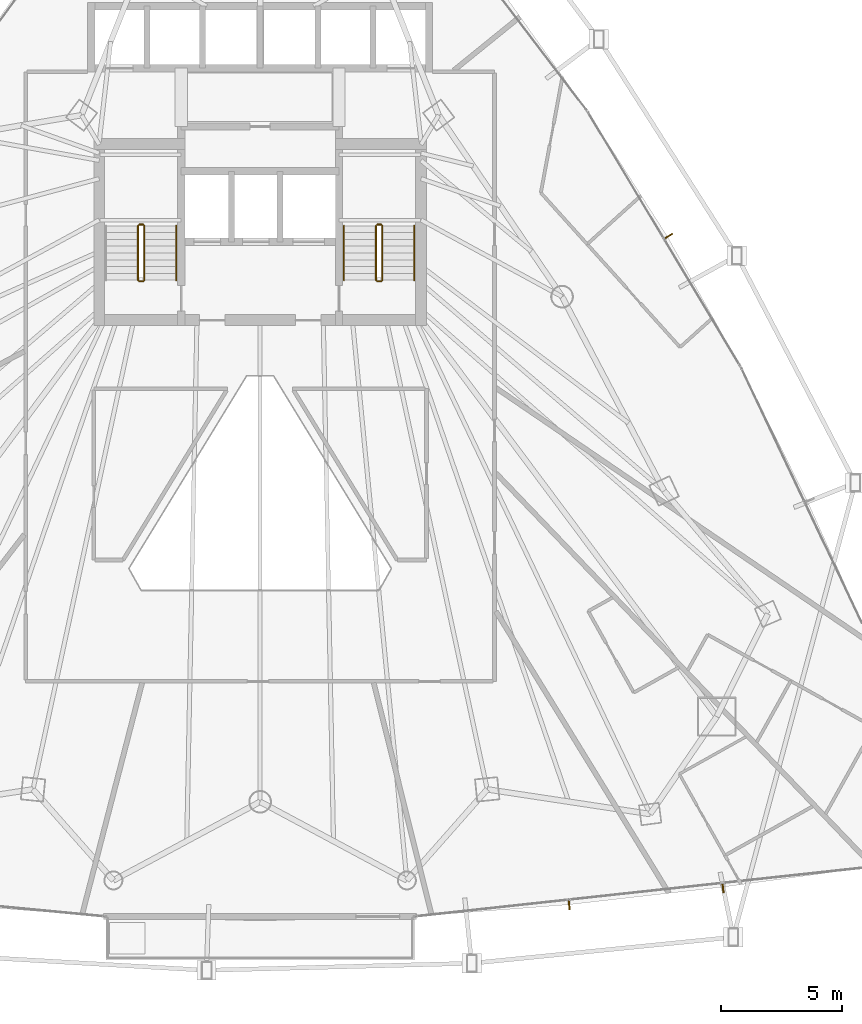
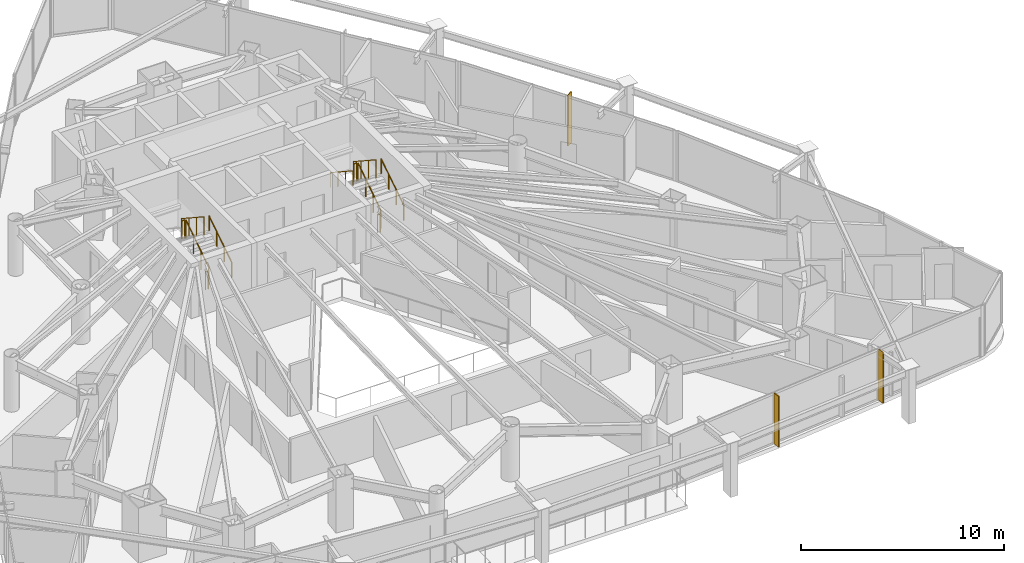
# One storey, part 33 of 34: 11 railings, 3 shading devices.
"""IFC4 building model written with IfcOpenShell, lengths in metres."""

from ifc_helpers import new_model, si_unit, direction, frame, origin, origin_2d, place, context, subcontext, project, spatial, rectangle, circle, extrude, material, layer, layer_set, type_object, element, save


model = new_model("IFC4")

# Units and contexts
model_context = context("Model", 3, precision=1e-05, world=origin(), true_north=direction((0.0, 1.0)))
body_context = subcontext(model_context, "Body", "Model", "MODEL_VIEW")
ifc_project = project(units=[si_unit("LENGTHUNIT", "METRE"), si_unit("AREAUNIT", "SQUARE_METRE"), si_unit("VOLUMEUNIT", "CUBIC_METRE"), si_unit("PLANEANGLEUNIT", "RADIAN"), si_unit("MASSUNIT", "GRAM", prefix="KILO")], contexts=[model_context])

# Site, building, storey
site_placement = place(None, origin())
site = spatial("IfcSite", under=ifc_project, at=site_placement, CompositionType="ELEMENT")
building_placement = place(site_placement, origin())
building = spatial("IfcBuilding", under=site, at=building_placement, Name="Orvanel Arch Residences", CompositionType="ELEMENT")
storey_placement = place(building_placement, frame((0.0, 0.0, 80.75)))
storey = spatial("IfcBuildingStorey", under=building, at=storey_placement, Name="L22", CompositionType="ELEMENT", Elevation=80.75)

# Shading devices
ifc_material_1 = material(Name="Bronze-anodised aluminium AA6063-T6", Category="aluminium")
ifc_layer = layer(ifc_material_1, 0.06005859375)
ifc_layer_set = layer_set([ifc_layer], Name="Bronze-anodised aluminium AA6063-T6")
shading_device_type = type_object("IfcShadingDeviceType", Name="FIN-BRZ-380", PredefinedType="USERDEFINED", material=ifc_layer_set)
for number, where, z_axis, x_axis, name in (
    (1, (45.72509765625, 2.593017578125, 0.0), (0.0, 0.0, 1.0), (0.107999355706, -0.994150963972, 0.0), "L22 Anodised Bronze Mullion FIN 01"),
    (2, (52.05908203125, 3.281982421875, 0.0), (0.0, 0.0, 1.0), (0.107999355706, -0.994150963972, 0.0), "L22 Anodised Bronze Mullion FIN 02"),
    (3, (49.818115234375, 30.133056640625, 0.0), (0.0, 0.0, 1.0), (0.857167300702, 0.51503807491, 0.0), "L22 Anodised Bronze Mullion FIN 01"),
):
    element("IfcShadingDevice", number, at=place(storey_placement, frame(where, z_axis=z_axis, x_axis=x_axis)), inside=storey, type_object=shading_device_type, Name=name, ObjectType="FIN", PredefinedType="USERDEFINED", context=body_context, shape_type="SweptSolid", body=[
        extrude(rectangle(XDim=0.3798828125, YDim=0.06005859375, at=origin_2d()), origin(), (0.0, 0.0, 1.0), 3.06005859375),
    ])

# Railings
ifc_material_2 = material(Name="Structural steel AS/NZS 1163 C350L0 (Grade 350)", Category="steel")
railing_type_1 = type_object("IfcRailingType", Name="RL-STAIR-GUARD", PredefinedType="GUARDRAIL", material=ifc_material_2)
railing_1_placement = place(storey_placement, frame((28.22998046875, 28.320068359375, 0.183349609375)))
element("IfcRailing", 4, at=railing_1_placement, inside=storey, type_object=railing_type_1, Name="L22 ST-1 stair guard 1", PredefinedType="GUARDRAIL", context=body_context, shape_type="SweptSolid", body=[
    extrude(circle(Radius=0.02392578125, at=origin_2d()), frame((0.0, 0.001220703125, 1.076904296875), z_axis=(0.0, 0.836636935527, 0.547757827979), x_axis=(-1.0, 0.0, 0.0)), (0.0, 0.0, 1.0), 2.67431640625),
    extrude(circle(Radius=0.02099609375, at=origin_2d()), origin(), (0.0, 0.0, 1.0), 1.050048828125),
    extrude(circle(Radius=0.02099609375, at=origin_2d()), frame((0.0, 0.74658203125, 0.48876953125)), (0.0, 0.0, 1.0), 1.050048828125),
    extrude(circle(Radius=0.02099609375, at=origin_2d()), frame((0.0, 1.493408203125, 0.977783203125)), (0.0, 0.0, 1.0), 1.050048828125),
    extrude(circle(Radius=0.02099609375, at=origin_2d()), frame((0.0, 2.239990234375, 1.466552734375)), (0.0, 0.0, 1.0), 1.050048828125),
])
railing_2_placement = place(storey_placement, frame((28.179931640625, 30.610107421875, 1.64990234375)))
element("IfcRailing", 5, at=railing_2_placement, inside=storey, type_object=railing_type_1, Name="L22 ST-1 stair guard 2", PredefinedType="GUARDRAIL", context=body_context, shape_type="SweptSolid", body=[
    extrude(circle(Radius=0.02392578125, at=origin_2d()), frame((-0.00146484375, 0.0, 1.076171875), z_axis=(-1.0, 0.0, 0.0), x_axis=(0.0, -1.0, 0.0)), (0.0, 0.0, 1.0), 0.156982421875),
    extrude(circle(Radius=0.02099609375, at=origin_2d()), origin(), (0.0, 0.0, 1.0), 1.050048828125),
    extrude(circle(Radius=0.02099609375, at=origin_2d()), frame((-0.159912109375, 0.0, 0.0)), (0.0, 0.0, 1.0), 1.050048828125),
])
railing_3_placement = place(storey_placement, frame((27.969970703125, 30.56005859375, 1.833251953125)))
element("IfcRailing", 6, at=railing_3_placement, inside=storey, type_object=railing_type_1, Name="L22 ST-1 stair guard 3", PredefinedType="GUARDRAIL", context=body_context, shape_type="SweptSolid", body=[
    extrude(circle(Radius=0.02392578125, at=origin_2d()), frame((0.0, -0.001220703125, 1.076904296875), z_axis=(0.0, -0.836595146698, 0.547821650285), x_axis=(1.0, 0.0, 0.0)), (0.0, 0.0, 1.0), 2.674560546875),
    extrude(circle(Radius=0.02099609375, at=origin_2d()), origin(), (0.0, 0.0, 1.0), 1.050048828125),
    extrude(circle(Radius=0.02099609375, at=origin_2d()), frame((0.0, -0.74658203125, 0.489013671875)), (0.0, 0.0, 1.0), 1.050048828125),
    extrude(circle(Radius=0.02099609375, at=origin_2d()), frame((0.0, -1.493408203125, 0.977783203125)), (0.0, 0.0, 1.0), 1.050048828125),
    extrude(circle(Radius=0.02099609375, at=origin_2d()), frame((0.0, -2.239990234375, 1.466796875)), (0.0, 0.0, 1.0), 1.050048828125),
])
railing_4_placement = place(storey_placement, frame((28.179931640625, 28.27001953125, 0.0)))
element("IfcRailing", 7, at=railing_4_placement, inside=storey, type_object=railing_type_1, Name="L22 ST-1 stair guard 4", PredefinedType="GUARDRAIL", context=body_context, shape_type="SweptSolid", body=[
    extrude(circle(Radius=0.02392578125, at=origin_2d()), frame((-0.00146484375, 0.0, 1.076171875), z_axis=(-1.0, 0.0, 0.0), x_axis=(0.0, -1.0, 0.0)), (0.0, 0.0, 1.0), 0.156982421875),
    extrude(circle(Radius=0.02099609375, at=origin_2d()), origin(), (0.0, 0.0, 1.0), 1.050048828125),
    extrude(circle(Radius=0.02099609375, at=origin_2d()), frame((-0.159912109375, 0.0, 0.0)), (0.0, 0.0, 1.0), 1.050048828125),
])
railing_5_placement = place(storey_placement, frame((38.030029296875, 28.320068359375, 0.183349609375)))
element("IfcRailing", 8, at=railing_5_placement, inside=storey, type_object=railing_type_1, Name="L22 ST-2 stair guard 1", PredefinedType="GUARDRAIL", context=body_context, shape_type="SweptSolid", body=[
    extrude(circle(Radius=0.02392578125, at=origin_2d()), frame((0.0, 0.001220703125, 1.076904296875), z_axis=(0.0, 0.836636935527, 0.547757827979), x_axis=(-1.0, 0.0, 0.0)), (0.0, 0.0, 1.0), 2.67431640625),
    extrude(circle(Radius=0.02099609375, at=origin_2d()), origin(), (0.0, 0.0, 1.0), 1.050048828125),
    extrude(circle(Radius=0.02099609375, at=origin_2d()), frame((0.0, 0.74658203125, 0.48876953125)), (0.0, 0.0, 1.0), 1.050048828125),
    extrude(circle(Radius=0.02099609375, at=origin_2d()), frame((0.0, 1.493408203125, 0.977783203125)), (0.0, 0.0, 1.0), 1.050048828125),
    extrude(circle(Radius=0.02099609375, at=origin_2d()), frame((0.0, 2.239990234375, 1.466552734375)), (0.0, 0.0, 1.0), 1.050048828125),
])
railing_6_placement = place(storey_placement, frame((37.97998046875, 30.610107421875, 1.64990234375)))
element("IfcRailing", 9, at=railing_6_placement, inside=storey, type_object=railing_type_1, Name="L22 ST-2 stair guard 2", PredefinedType="GUARDRAIL", context=body_context, shape_type="SweptSolid", body=[
    extrude(circle(Radius=0.02392578125, at=origin_2d()), frame((-0.00146484375, 0.0, 1.076171875), z_axis=(-1.0, 0.0, 0.0), x_axis=(0.0, -1.0, 0.0)), (0.0, 0.0, 1.0), 0.156982421875),
    extrude(circle(Radius=0.02099609375, at=origin_2d()), origin(), (0.0, 0.0, 1.0), 1.050048828125),
    extrude(circle(Radius=0.02099609375, at=origin_2d()), frame((-0.159912109375, 0.0, 0.0)), (0.0, 0.0, 1.0), 1.050048828125),
])
railing_7_placement = place(storey_placement, frame((37.77001953125, 30.56005859375, 1.833251953125)))
element("IfcRailing", 10, at=railing_7_placement, inside=storey, type_object=railing_type_1, Name="L22 ST-2 stair guard 3", PredefinedType="GUARDRAIL", context=body_context, shape_type="SweptSolid", body=[
    extrude(circle(Radius=0.02392578125, at=origin_2d()), frame((0.0, -0.001220703125, 1.076904296875), z_axis=(0.0, -0.836595146698, 0.547821650285), x_axis=(1.0, 0.0, 0.0)), (0.0, 0.0, 1.0), 2.674560546875),
    extrude(circle(Radius=0.02099609375, at=origin_2d()), origin(), (0.0, 0.0, 1.0), 1.050048828125),
    extrude(circle(Radius=0.02099609375, at=origin_2d()), frame((0.0, -0.74658203125, 0.489013671875)), (0.0, 0.0, 1.0), 1.050048828125),
    extrude(circle(Radius=0.02099609375, at=origin_2d()), frame((0.0, -1.493408203125, 0.977783203125)), (0.0, 0.0, 1.0), 1.050048828125),
    extrude(circle(Radius=0.02099609375, at=origin_2d()), frame((0.0, -2.239990234375, 1.466796875)), (0.0, 0.0, 1.0), 1.050048828125),
])
railing_8_placement = place(storey_placement, frame((37.97998046875, 28.27001953125, 0.0)))
element("IfcRailing", 11, at=railing_8_placement, inside=storey, type_object=railing_type_1, Name="L22 ST-2 stair guard 4", PredefinedType="GUARDRAIL", context=body_context, shape_type="SweptSolid", body=[
    extrude(circle(Radius=0.02392578125, at=origin_2d()), frame((-0.00146484375, 0.0, 1.076171875), z_axis=(-1.0, 0.0, 0.0), x_axis=(0.0, -1.0, 0.0)), (0.0, 0.0, 1.0), 0.156982421875),
    extrude(circle(Radius=0.02099609375, at=origin_2d()), origin(), (0.0, 0.0, 1.0), 1.050048828125),
    extrude(circle(Radius=0.02099609375, at=origin_2d()), frame((-0.159912109375, 0.0, 0.0)), (0.0, 0.0, 1.0), 1.050048828125),
])
railing_type_2 = type_object("IfcRailingType", Name="RL-STAIR-HAND", PredefinedType="HANDRAIL", material=ifc_material_2)
for number, where, name in (
    (12, (29.550048828125, 28.320068359375, 0.183349609375), "L22 ST-1 stair handrail 1"),
    (13, (39.35009765625, 28.320068359375, 0.183349609375), "L22 ST-2 stair handrail 1"),
):
    element("IfcRailing", number, at=place(storey_placement, frame(where)), inside=storey, type_object=railing_type_2, Name=name, PredefinedType="HANDRAIL", context=body_context, shape_type="SweptSolid", body=[
        extrude(circle(Radius=0.02392578125, at=origin_2d()), frame((0.0, 0.001220703125, 0.876708984375), z_axis=(0.0, 0.836636935527, 0.547757827979), x_axis=(-1.0, 0.0, 0.0)), (0.0, 0.0, 1.0), 2.67431640625),
        extrude(circle(Radius=0.02099609375, at=origin_2d()), origin(), (0.0, 0.0, 1.0), 0.849853515625),
        extrude(circle(Radius=0.02099609375, at=origin_2d()), frame((0.0, 0.74658203125, 0.48876953125)), (0.0, 0.0, 1.0), 0.849853515625),
        extrude(circle(Radius=0.02099609375, at=origin_2d()), frame((0.0, 1.493408203125, 0.977783203125)), (0.0, 0.0, 1.0), 0.849853515625),
        extrude(circle(Radius=0.02099609375, at=origin_2d()), frame((0.0, 2.239990234375, 1.466552734375)), (0.0, 0.0, 1.0), 0.849853515625),
    ])
railing_9_placement = place(storey_placement, frame((36.449951171875, 30.56005859375, 1.833251953125)))
element("IfcRailing", 14, at=railing_9_placement, inside=storey, type_object=railing_type_2, Name="L22 ST-2 stair handrail 2", PredefinedType="HANDRAIL", context=body_context, shape_type="SweptSolid", body=[
    extrude(circle(Radius=0.02392578125, at=origin_2d()), frame((0.0, -0.001220703125, 0.876708984375), z_axis=(0.0, -0.836595146698, 0.547821650285), x_axis=(1.0, 0.0, 0.0)), (0.0, 0.0, 1.0), 2.674560546875),
    extrude(circle(Radius=0.02099609375, at=origin_2d()), origin(), (0.0, 0.0, 1.0), 0.849853515625),
    extrude(circle(Radius=0.02099609375, at=origin_2d()), frame((0.0, -0.74658203125, 0.489013671875)), (0.0, 0.0, 1.0), 0.849853515625),
    extrude(circle(Radius=0.02099609375, at=origin_2d()), frame((0.0, -1.493408203125, 0.977783203125)), (0.0, 0.0, 1.0), 0.849853515625),
    extrude(circle(Radius=0.02099609375, at=origin_2d()), frame((0.0, -2.239990234375, 1.466796875)), (0.0, 0.0, 1.0), 0.849853515625),
])

save(model, "model.ifc")
